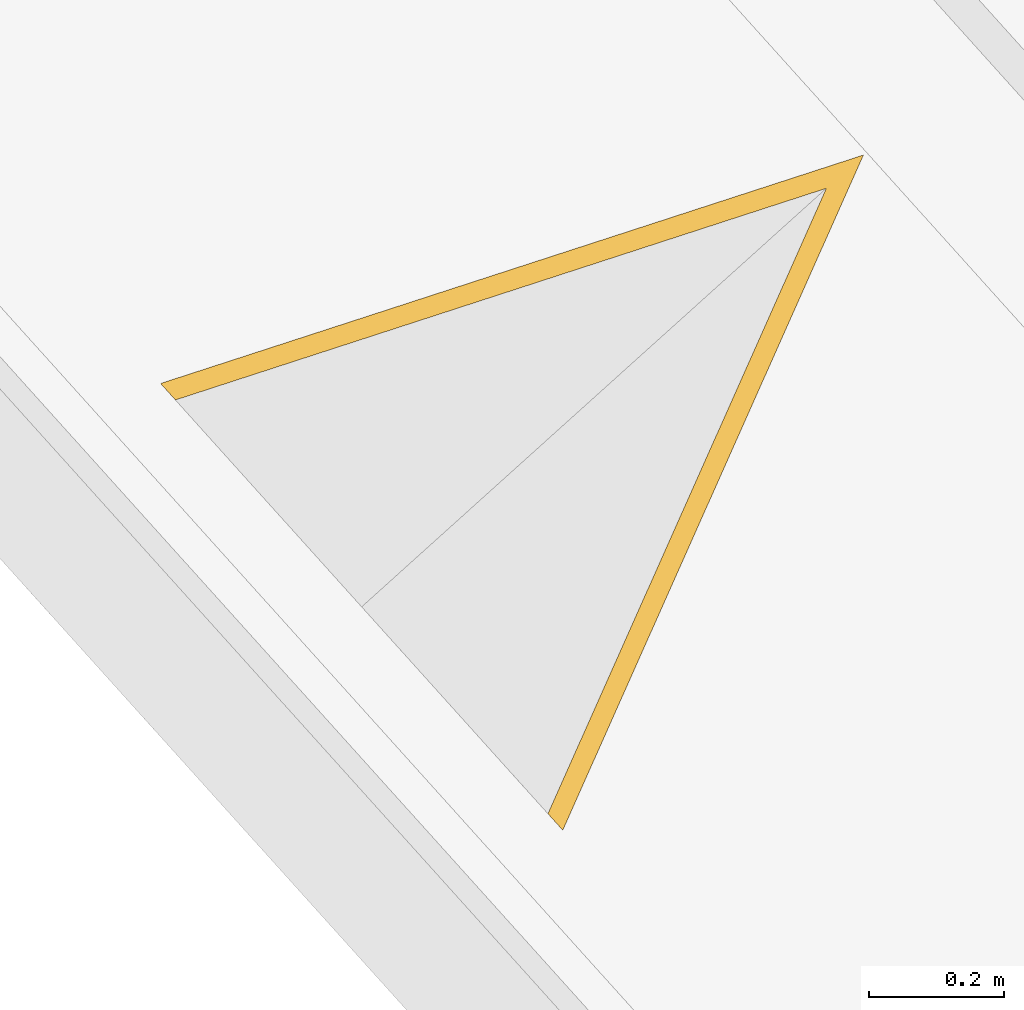
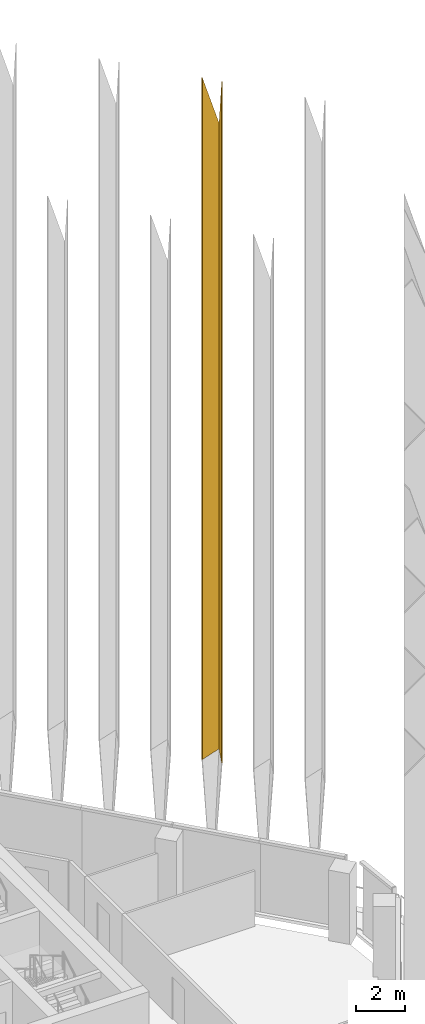
# One storey, part 21 of 21: 1 covering.
"""IFC4 building model written with IfcOpenShell, lengths in metres."""

import ifcopenshell
import ifcopenshell.guid

model = None  # the IFC model being written
_history = None  # IfcOwnerHistory: only IFC2X3 demands one
_inside = {}  # id of a spatial element -> (the spatial element, [elements in it])
_under = {}  # id of a project, library or spatial element -> (it, [spatial elements below it])
_declared = {}  # id of a project -> (the project, [libraries it declares])
_typed = {}  # id of a type object -> (the type object, [elements of that type])
_made_of = {}  # id of a material, layer set ... -> (it, [elements and type objects made of it])


def new_model(schema):
    """Start an empty IFC model of exactly this schema.

    Asked for "IFC4X3", IfcOpenShell would pick the latest addendum, in which some entities
    have other attributes; the version numbers below select the first issue.
    IFC2X3 requires an IfcOwnerHistory on every rooted entity: one is made here for all.
    """
    global model, _history
    if schema == "IFC4X3":
        model = ifcopenshell.file(schema_version=(4, 3, 0, 0))
    else:
        model = ifcopenshell.file(schema=schema)
    _inside.clear()
    _under.clear()
    _declared.clear()
    _typed.clear()
    _made_of.clear()
    _history = None
    if model.schema == "IFC2X3":
        org = make("IfcOrganization", Name="unknown")
        user = make(
            "IfcPersonAndOrganization",
            ThePerson=make("IfcPerson", FamilyName="unknown"),
            TheOrganization=org,
        )
        app = make(
            "IfcApplication",
            ApplicationDeveloper=org,
            Version="unknown",
            ApplicationFullName="unknown",
            ApplicationIdentifier="unknown",
        )
        _history = make(
            "IfcOwnerHistory",
            OwningUser=user,
            OwningApplication=app,
            ChangeAction="ADDED",
            CreationDate=0,
        )
    return model


def make(cls, **values):
    """One entity of the class cls with the attributes given. An attribute that is None is left unset."""
    return model.create_entity(
        cls, **{name: value for name, value in values.items() if value is not None}
    )


def rooted(cls, **values):
    """An entity with a GlobalId (a new one), such as an element, a storey or a relation."""
    return make(cls, GlobalId=ifcopenshell.guid.new(), OwnerHistory=_history, **values)


def si_unit(unit_type, name, prefix=None):
    """IfcSIUnit, for example si_unit("LENGTHUNIT", "METRE", prefix="MILLI")."""
    return make("IfcSIUnit", UnitType=unit_type, Prefix=prefix, Name=name)


def assignment(units):
    """IfcUnitAssignment: the units of a project."""
    return None if units is None else make("IfcUnitAssignment", Units=units)


def point(xyz):
    """IfcCartesianPoint."""
    return None if xyz is None else make("IfcCartesianPoint", Coordinates=xyz)


def direction(xyz):
    """IfcDirection."""
    return None if xyz is None else make("IfcDirection", DirectionRatios=xyz)


def frame(location, z_axis=None, x_axis=None):
    """IfcAxis2Placement3D, a coordinate frame: its origin and axes. An axis left out is left unset."""
    return make(
        "IfcAxis2Placement3D",
        Location=point(location),
        Axis=direction(z_axis),
        RefDirection=direction(x_axis),
    )


def origin():
    """The frame at (0, 0, 0) with its axes left unset."""
    return frame((0.0, 0.0, 0.0))


def place(relative_to, where):
    """IfcLocalPlacement: puts the frame where relative to a parent placement (None: the world)."""
    return make(
        "IfcLocalPlacement", PlacementRelTo=relative_to, RelativePlacement=where
    )


def context(
    kind, dimensions, precision=None, world=None, true_north=None, identifier=None
):
    """IfcGeometricRepresentationContext, for example the 3D "Model" context."""
    return make(
        "IfcGeometricRepresentationContext",
        ContextIdentifier=identifier,
        ContextType=kind,
        CoordinateSpaceDimension=dimensions,
        Precision=precision,
        WorldCoordinateSystem=world,
        TrueNorth=true_north,
    )


def subcontext(parent, identifier, kind, view, scale=None):
    """IfcGeometricRepresentationSubContext, for example "Body" below "Model"."""
    return make(
        "IfcGeometricRepresentationSubContext",
        ContextIdentifier=identifier,
        ContextType=kind,
        ParentContext=parent,
        TargetScale=scale,
        TargetView=view,
    )


def project(units=None, contexts=None):
    """IfcProject with its units and contexts."""
    return rooted(
        "IfcProject",
        Name="project",
        RepresentationContexts=contexts,
        UnitsInContext=assignment(units),
    )


def spatial(cls, under=None, at=None, **own):
    """A site, building, storey or space (cls), placed at a placement, below another one or the project."""
    s = rooted(cls, ObjectPlacement=at, **own)
    if under is not None:
        _under.setdefault(under.id(), (under, []))[1].append(s)
    return s


def polyline(points):
    """IfcPolyline through the points."""
    return make("IfcPolyline", Points=[point(p) for p in points])


def outline(outer, holes=None, kind="AREA"):
    """IfcArbitraryClosedProfileDef: a profile drawn as a closed curve; with holes, ...WithVoids."""
    if holes is None:
        return make("IfcArbitraryClosedProfileDef", ProfileType=kind, OuterCurve=outer)
    return make(
        "IfcArbitraryProfileDefWithVoids",
        ProfileType=kind,
        OuterCurve=outer,
        InnerCurves=holes,
    )


def faces_of(points, faces, orient=None, outer=None):
    """IfcFace entities. A face is a list of loops; a loop is a list of indices into points, from 0.

    orient and outer hold one flag for each loop. By default every Orientation is true, the
    first loop of a face is its IfcFaceOuterBound and the others are IfcFaceBound.
    """
    made = []
    for i, loops in enumerate(faces):
        bounds = []
        for j, loop in enumerate(loops):
            is_outer = j == 0 if outer is None else outer[i][j]
            bounds.append(
                make(
                    "IfcFaceOuterBound" if is_outer else "IfcFaceBound",
                    Bound=make("IfcPolyLoop", Polygon=[points[k] for k in loop]),
                    Orientation=True if orient is None else orient[i][j],
                )
            )
        made.append(make("IfcFace", Bounds=bounds))
    return made


def faceted_brep(points, faces, orient=None, outer=None, voids=None):
    """IfcFacetedBrep: a solid bounded by flat faces; with voids (closed shells), ...WithVoids."""
    shared = [point(p) for p in points]
    hull = make("IfcClosedShell", CfsFaces=faces_of(shared, faces, orient, outer))
    if voids is None:
        return make("IfcFacetedBrep", Outer=hull)
    return make(
        "IfcFacetedBrepWithVoids",
        Outer=hull,
        Voids=[
            make(cls, CfsFaces=faces_of(shared, fs, o, b)) for cls, fs, o, b in voids
        ],
    )


def shape(context_of_items, identifier, shape_type, items):
    """IfcShapeRepresentation: the items that make up one representation, for example the "Body"."""
    return make(
        "IfcShapeRepresentation",
        ContextOfItems=context_of_items,
        RepresentationIdentifier=identifier,
        RepresentationType=shape_type,
        Items=items,
    )


def material(Name=None, Category=None):
    """IfcMaterial."""
    return make("IfcMaterial", Name=Name, Category=Category)


def material_profile(
    of_material, cross_section, Name=None, Category=None, Priority=None
):
    """IfcMaterialProfile: a cross section and its material."""
    return make(
        "IfcMaterialProfile",
        Name=Name,
        Material=of_material,
        Profile=cross_section,
        Priority=Priority,
        Category=Category,
    )


def profile_set(profiles, Name=None, composite=None):
    """IfcMaterialProfileSet."""
    return make(
        "IfcMaterialProfileSet",
        Name=Name,
        MaterialProfiles=profiles,
        CompositeProfile=composite,
    )


def made_of(thing, what):
    """Note that an element or type object is made of a material, layer set ...; save() writes the relation."""
    if what is not None:
        _made_of.setdefault(what.id(), (what, []))[1].append(thing)
    return thing


def type_object(cls, material=None, **own):
    """A type object (cls), such as IfcWallType, which elements share."""
    return made_of(rooted(cls, **own), material)


def element(
    cls,
    number,
    at=None,
    inside=None,
    cuts=None,
    type_object=None,
    material=None,
    context=None,
    identifier="Body",
    shape_type=None,
    held_by="IfcProductDefinitionShape",
    body=None,
    shapes=None,
    **own,
):
    """One element of the class cls, such as IfcWall. Its Tag is "e" and its number.

    at: its placement. inside: the storey or other place that contains it. cuts: it is an
    opening in that element (IfcRelVoidsElement). A single representation is given by context,
    identifier, shape_type and body (its items); several are given by shapes. held_by: the class
    of the entity that holds the representations. save() writes the other relations.
    """
    e = rooted(cls, Tag="e%d" % number, ObjectPlacement=at, **own)
    if body is not None:
        shapes = [shape(context, identifier, shape_type, body)]
    if shapes is not None:
        e.Representation = make(held_by, Representations=shapes)
    if inside is not None:
        _inside.setdefault(inside.id(), (inside, []))[1].append(e)
    if cuts is not None:
        rooted(
            "IfcRelVoidsElement", RelatingBuildingElement=cuts, RelatedOpeningElement=e
        )
    if type_object is not None:
        _typed.setdefault(type_object.id(), (type_object, []))[1].append(e)
    return made_of(e, material)


def aggregate(whole, parts):
    """IfcRelAggregates: a whole, such as a stair, and the parts it consists of."""
    return rooted("IfcRelAggregates", RelatingObject=whole, RelatedObjects=parts)


def save(model, path):
    """Write the relations noted so far, then the file.

    IfcRelAggregates (storeys below a building ...), IfcRelContainedInSpatialStructure (elements
    in a storey), IfcRelDefinesByType, IfcRelAssociatesMaterial and IfcRelDeclares: one each for
    every whole, place, type object, material and project.
    """
    for whole, parts in _under.values():
        aggregate(whole, parts)
    for where, things in _inside.values():
        rooted(
            "IfcRelContainedInSpatialStructure",
            RelatedElements=things,
            RelatingStructure=where,
        )
    for kind, things in _typed.values():
        rooted("IfcRelDefinesByType", RelatedObjects=things, RelatingType=kind)
    for what, things in _made_of.values():
        rooted("IfcRelAssociatesMaterial", RelatedObjects=things, RelatingMaterial=what)
    for by, libraries in _declared.values():
        rooted("IfcRelDeclares", RelatingContext=by, RelatedDefinitions=libraries)
    model.write(path)


model = new_model("IFC4")

# Units and contexts
model_context = context("Model", 3, precision=1e-05, world=origin(), true_north=direction((0.0, 1.0)))
body_context = subcontext(model_context, "Body", "Model", "MODEL_VIEW")
ifc_project = project(units=[si_unit("LENGTHUNIT", "METRE"), si_unit("AREAUNIT", "SQUARE_METRE"), si_unit("VOLUMEUNIT", "CUBIC_METRE"), si_unit("PLANEANGLEUNIT", "RADIAN"), si_unit("MASSUNIT", "GRAM", prefix="KILO")], contexts=[model_context])

# Site, building, storey
site_placement = place(None, origin())
site = spatial("IfcSite", under=ifc_project, at=site_placement, CompositionType="ELEMENT")
building_placement = place(site_placement, origin())
building = spatial("IfcBuilding", under=site, at=building_placement, Name="Isthmus Gate Tower", CompositionType="ELEMENT")
storey_placement = place(building_placement, frame((0.0, 0.0, 260.949951171875)))
storey = spatial("IfcBuildingStorey", under=building, at=storey_placement, Name="L66", CompositionType="ELEMENT", Elevation=260.949951171875)

# Covering
ifc_material = material(Name="Structural steel ASTM A572 Gr 50, white paint system", Category="steel")
ifc_material_profile = material_profile(ifc_material, outline(polyline([(0.0, -0.4453125), (1.0, 0.0), (0.0, 0.4453125), (0.0, 0.412353515625), (0.92626953125, 0.0), (0.0, -0.412353515625), (0.0, -0.4453125)])), Name="V1000")
ifc_profile_set = profile_set([ifc_material_profile], Name="Structural steel ASTM A572 Gr 50, white paint system")
covering_type = type_object("IfcCoveringType", Name="FIN V 1000 DEEP", PredefinedType="CLADDING", material=ifc_profile_set)
covering_placement = place(storey_placement, frame((0.0, 0.0, -260.949951171875)))
element("IfcCovering", 1, at=covering_placement, inside=storey, type_object=covering_type, Name="FIN", ObjectType="FIN", PredefinedType="CLADDING", context=body_context, shape_type="Brep", body=[
    faceted_brep([(23.224853515625, 8.351318359375, 267.85009765625), (23.63720703125, 9.277587890625, 267.85009765625), (22.673095703125, 8.964111328125, 267.85009765625), (22.651123046875, 8.988525390625, 267.85009765625), (23.692138671875, 9.326904296875, 267.85009765625), (23.246826171875, 8.326904296875, 267.85009765625), (23.246826171875, 8.326904296875, 301.699951171875), (23.692138671875, 9.326904296875, 298.699951171875), (22.651123046875, 8.988525390625, 301.699951171875), (22.673095703125, 8.964111328125, 301.699951171875), (23.63720703125, 9.277587890625, 298.92138671875), (23.224853515625, 8.351318359375, 301.699951171875)], [[[0, 1, 2, 3, 4, 5]], [[6, 7, 8, 9, 10, 11]], [[5, 4, 7, 6]], [[4, 3, 8, 7]], [[3, 2, 9, 8]], [[2, 1, 10, 9]], [[1, 0, 11, 10]], [[0, 5, 6, 11]]]),
])

save(model, "model.ifc")
